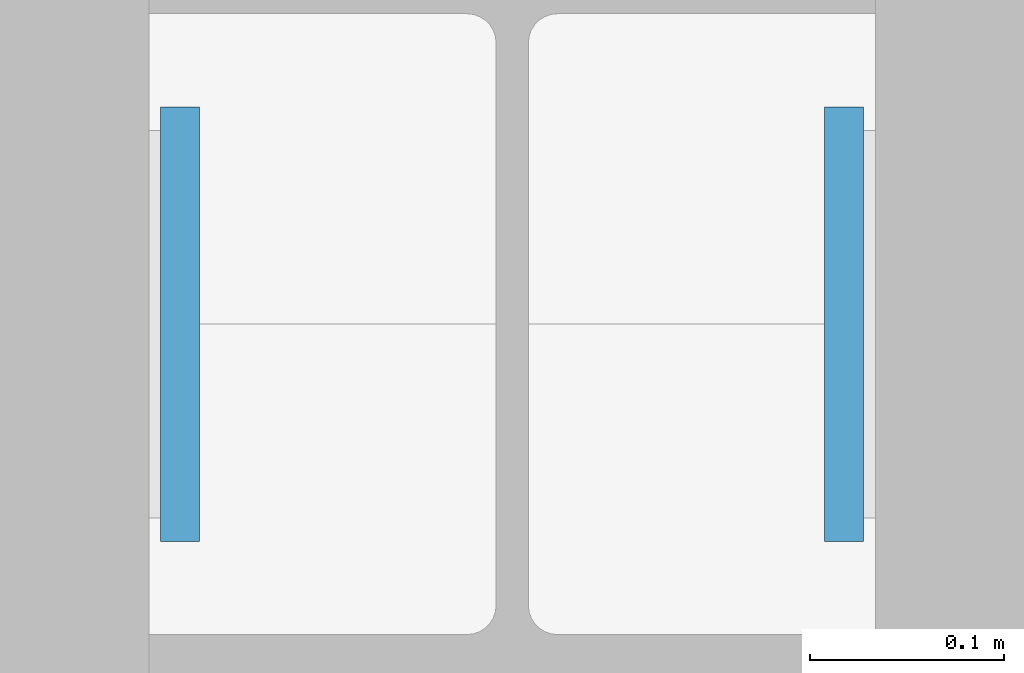
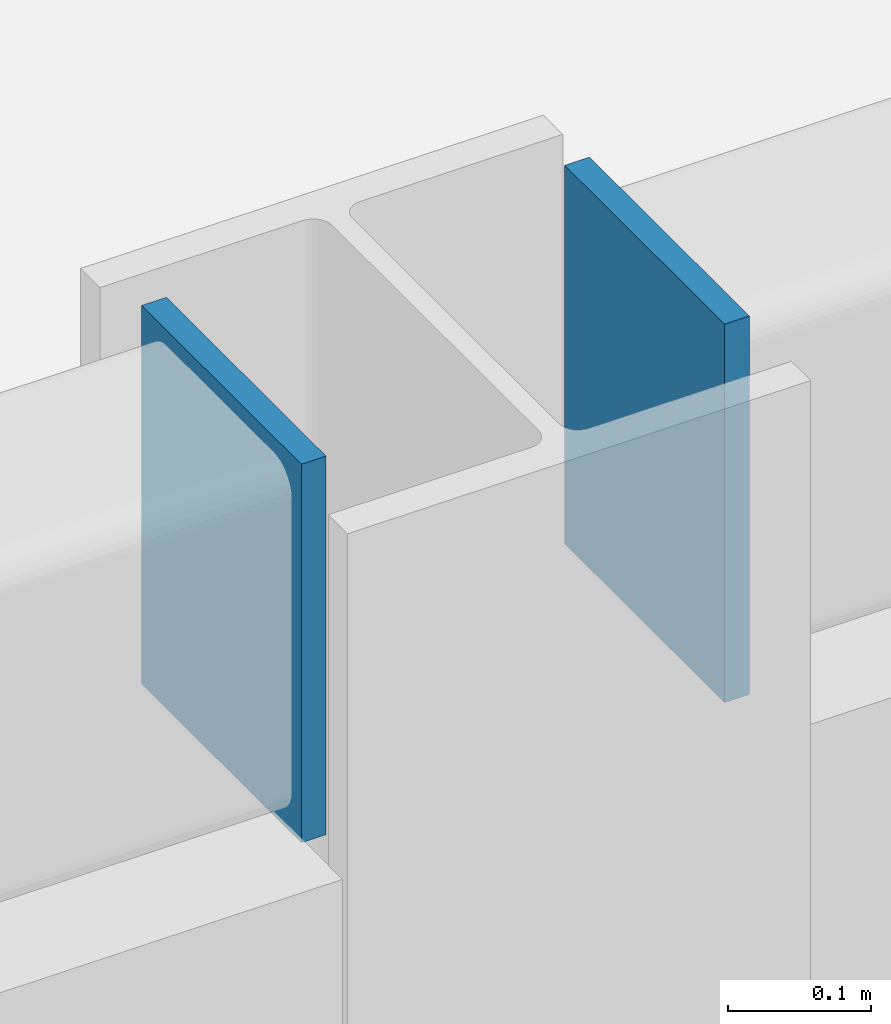
# One storey, part 63 of 96: 2 discrete accessories.
"""IFC4 building model written with IfcOpenShell, lengths in metres."""

from ifc_helpers import new_model, si_unit, direction, frame, origin, origin_2d, place, context, subcontext, project, spatial, rectangle, extrude, material, layer, layer_set, type_object, element, save


model = new_model("IFC4")

# Units and contexts
model_context = context("Model", 3, precision=1e-05, world=origin(), true_north=direction((0.0, 1.0)))
body_context = subcontext(model_context, "Body", "Model", "MODEL_VIEW")
ifc_project = project(units=[si_unit("LENGTHUNIT", "METRE"), si_unit("AREAUNIT", "SQUARE_METRE"), si_unit("VOLUMEUNIT", "CUBIC_METRE"), si_unit("PLANEANGLEUNIT", "RADIAN"), si_unit("MASSUNIT", "GRAM", prefix="KILO")], contexts=[model_context])

# Site, building, storey
site_placement = place(None, origin())
site = spatial("IfcSite", under=ifc_project, at=site_placement, CompositionType="ELEMENT")
building_placement = place(site_placement, origin())
building = spatial("IfcBuilding", under=site, at=building_placement, Name="Kranzveld Transit Interchange", CompositionType="ELEMENT")
storey_placement = place(building_placement, frame((0.0, 0.0, 9.52001953125)))
storey = spatial("IfcBuildingStorey", under=building, at=storey_placement, Name="L02", CompositionType="ELEMENT", Elevation=9.52001953125)

# Discrete accessories
ifc_material = material(Name="Steel S355JR", Category="steel")
ifc_layer = layer(ifc_material, 0.02001953125)
ifc_layer_set = layer_set([ifc_layer], Name="Steel S355JR")
discrete_accessory_type = type_object("IfcDiscreteAccessoryType", Name="Hollow Section End Cap Bracket 20 S355JR", PredefinedType="BRACKET", material=ifc_layer_set)
for number, where, z_axis, x_axis, name in (
    (1, (58.61865234375, 40.0, 3.419921875), (1.0, 0.0, 0.0), (0.0, 1.0, 0.0), "Hollow Section End Cap SP-RHS300-2"),
    (2, (58.981201171875, 40.0, 3.419921875), (-1.0, 0.0, 0.0), (0.0, -1.0, 0.0), "Hollow Section End Cap SP-RHS300-1"),
):
    element("IfcDiscreteAccessory", number, at=place(storey_placement, frame(where, z_axis=z_axis, x_axis=x_axis)), inside=storey, type_object=discrete_accessory_type, Name=name, PredefinedType="BRACKET", context=body_context, shape_type="SweptSolid", body=[
        extrude(rectangle(XDim=0.22412109375, YDim=0.323974609375, at=origin_2d()), origin(), (0.0, 0.0, 1.0), 0.02001953125),
    ])

save(model, "model.ifc")
